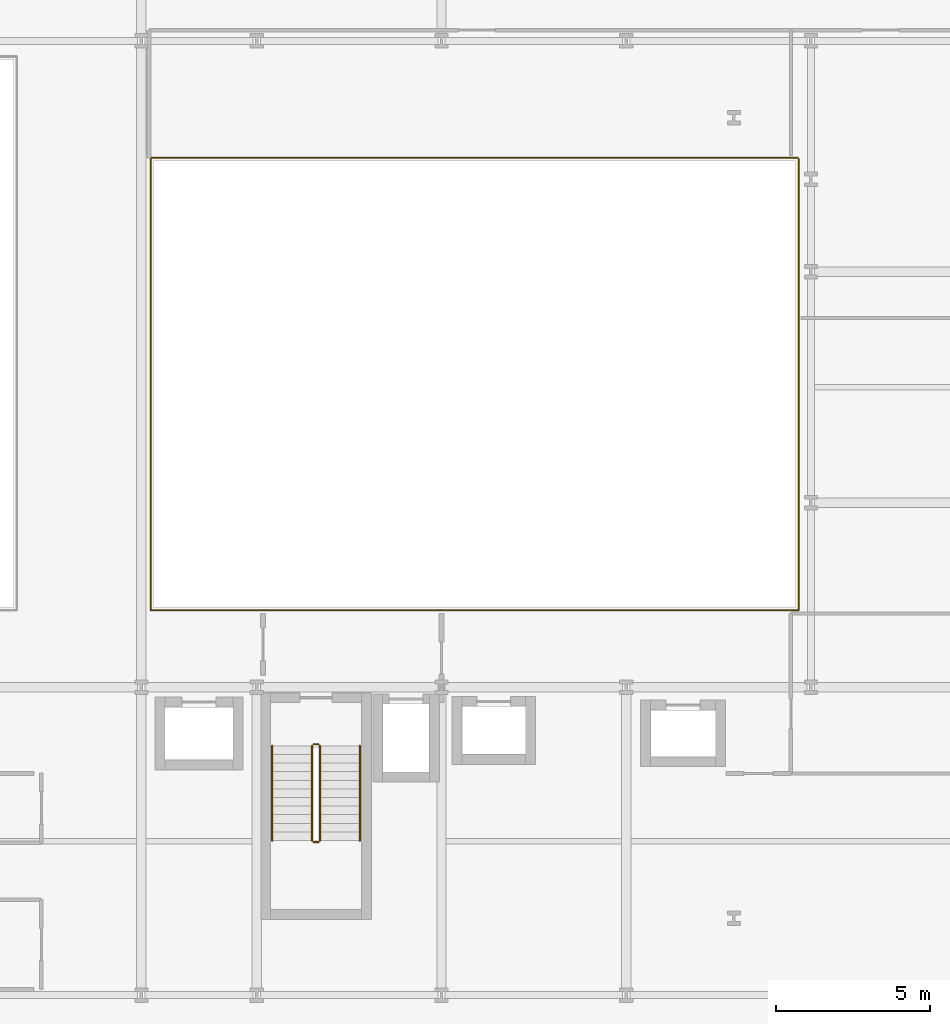
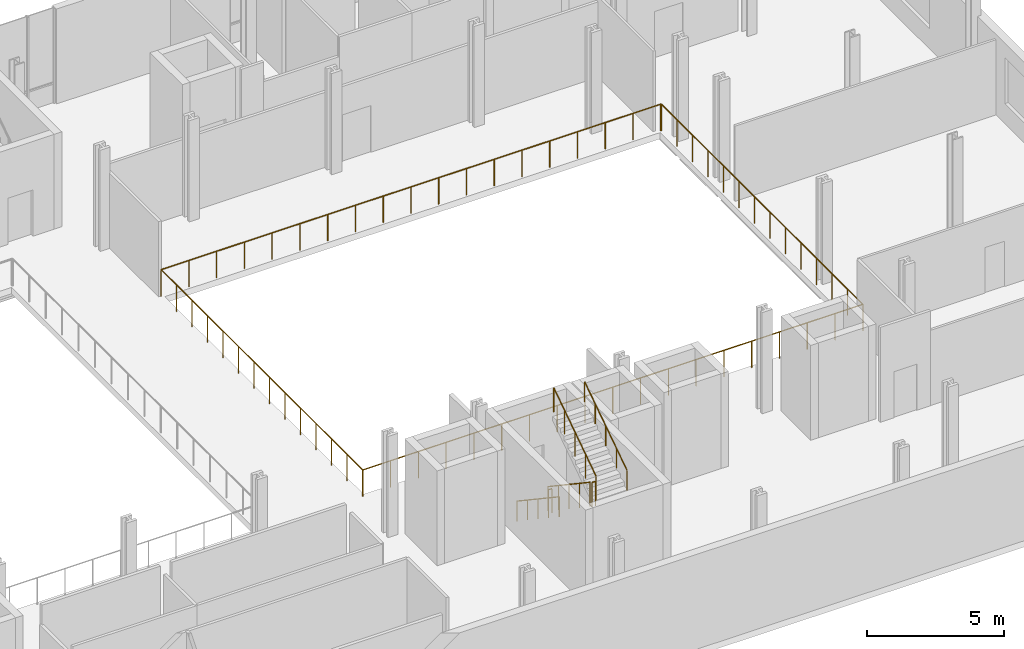
# One storey, part 23 of 25: 8 railings.
"""IFC4 building model written with IfcOpenShell, lengths in metres."""

import ifcopenshell
import ifcopenshell.guid

model = None  # the IFC model being written
_history = None  # IfcOwnerHistory: only IFC2X3 demands one
_inside = {}  # id of a spatial element -> (the spatial element, [elements in it])
_under = {}  # id of a project, library or spatial element -> (it, [spatial elements below it])
_declared = {}  # id of a project -> (the project, [libraries it declares])
_typed = {}  # id of a type object -> (the type object, [elements of that type])
_made_of = {}  # id of a material, layer set ... -> (it, [elements and type objects made of it])


def new_model(schema):
    """Start an empty IFC model of exactly this schema.

    Asked for "IFC4X3", IfcOpenShell would pick the latest addendum, in which some entities
    have other attributes; the version numbers below select the first issue.
    IFC2X3 requires an IfcOwnerHistory on every rooted entity: one is made here for all.
    """
    global model, _history
    if schema == "IFC4X3":
        model = ifcopenshell.file(schema_version=(4, 3, 0, 0))
    else:
        model = ifcopenshell.file(schema=schema)
    _inside.clear()
    _under.clear()
    _declared.clear()
    _typed.clear()
    _made_of.clear()
    _history = None
    if model.schema == "IFC2X3":
        org = make("IfcOrganization", Name="unknown")
        user = make(
            "IfcPersonAndOrganization",
            ThePerson=make("IfcPerson", FamilyName="unknown"),
            TheOrganization=org,
        )
        app = make(
            "IfcApplication",
            ApplicationDeveloper=org,
            Version="unknown",
            ApplicationFullName="unknown",
            ApplicationIdentifier="unknown",
        )
        _history = make(
            "IfcOwnerHistory",
            OwningUser=user,
            OwningApplication=app,
            ChangeAction="ADDED",
            CreationDate=0,
        )
    return model


def make(cls, **values):
    """One entity of the class cls with the attributes given. An attribute that is None is left unset."""
    return model.create_entity(
        cls, **{name: value for name, value in values.items() if value is not None}
    )


def rooted(cls, **values):
    """An entity with a GlobalId (a new one), such as an element, a storey or a relation."""
    return make(cls, GlobalId=ifcopenshell.guid.new(), OwnerHistory=_history, **values)


def si_unit(unit_type, name, prefix=None):
    """IfcSIUnit, for example si_unit("LENGTHUNIT", "METRE", prefix="MILLI")."""
    return make("IfcSIUnit", UnitType=unit_type, Prefix=prefix, Name=name)


def assignment(units):
    """IfcUnitAssignment: the units of a project."""
    return None if units is None else make("IfcUnitAssignment", Units=units)


def point(xyz):
    """IfcCartesianPoint."""
    return None if xyz is None else make("IfcCartesianPoint", Coordinates=xyz)


def direction(xyz):
    """IfcDirection."""
    return None if xyz is None else make("IfcDirection", DirectionRatios=xyz)


def frame(location, z_axis=None, x_axis=None):
    """IfcAxis2Placement3D, a coordinate frame: its origin and axes. An axis left out is left unset."""
    return make(
        "IfcAxis2Placement3D",
        Location=point(location),
        Axis=direction(z_axis),
        RefDirection=direction(x_axis),
    )


def frame_2d(location, x_axis=None):
    """IfcAxis2Placement2D, a coordinate frame in the plane: its origin and x axis."""
    return make(
        "IfcAxis2Placement2D", Location=point(location), RefDirection=direction(x_axis)
    )


def origin():
    """The frame at (0, 0, 0) with its axes left unset."""
    return frame((0.0, 0.0, 0.0))


def origin_2d():
    """The frame at (0, 0) in the plane with its x axis left unset."""
    return frame_2d((0.0, 0.0))


def place(relative_to, where):
    """IfcLocalPlacement: puts the frame where relative to a parent placement (None: the world)."""
    return make(
        "IfcLocalPlacement", PlacementRelTo=relative_to, RelativePlacement=where
    )


def context(
    kind, dimensions, precision=None, world=None, true_north=None, identifier=None
):
    """IfcGeometricRepresentationContext, for example the 3D "Model" context."""
    return make(
        "IfcGeometricRepresentationContext",
        ContextIdentifier=identifier,
        ContextType=kind,
        CoordinateSpaceDimension=dimensions,
        Precision=precision,
        WorldCoordinateSystem=world,
        TrueNorth=true_north,
    )


def subcontext(parent, identifier, kind, view, scale=None):
    """IfcGeometricRepresentationSubContext, for example "Body" below "Model"."""
    return make(
        "IfcGeometricRepresentationSubContext",
        ContextIdentifier=identifier,
        ContextType=kind,
        ParentContext=parent,
        TargetScale=scale,
        TargetView=view,
    )


def project(units=None, contexts=None):
    """IfcProject with its units and contexts."""
    return rooted(
        "IfcProject",
        Name="project",
        RepresentationContexts=contexts,
        UnitsInContext=assignment(units),
    )


def spatial(cls, under=None, at=None, **own):
    """A site, building, storey or space (cls), placed at a placement, below another one or the project."""
    s = rooted(cls, ObjectPlacement=at, **own)
    if under is not None:
        _under.setdefault(under.id(), (under, []))[1].append(s)
    return s


def profile(cls, at=None, kind="AREA", **sizes):
    """A parametric profile (cls). Its sizes go by their IFC names, for example OverallWidth=200.0."""
    return make(cls, ProfileType=kind, Position=at, **sizes)


def circle(**sizes):
    """IfcCircleProfileDef."""
    return profile("IfcCircleProfileDef", **sizes)


def extrude(swept, where, along, depth):
    """IfcExtrudedAreaSolid: the profile swept, set in the frame where, extruded along a direction by depth."""
    return make(
        "IfcExtrudedAreaSolid",
        SweptArea=swept,
        Position=where,
        ExtrudedDirection=direction(along),
        Depth=depth,
    )


def shape(context_of_items, identifier, shape_type, items):
    """IfcShapeRepresentation: the items that make up one representation, for example the "Body"."""
    return make(
        "IfcShapeRepresentation",
        ContextOfItems=context_of_items,
        RepresentationIdentifier=identifier,
        RepresentationType=shape_type,
        Items=items,
    )


def material(Name=None, Category=None):
    """IfcMaterial."""
    return make("IfcMaterial", Name=Name, Category=Category)


def made_of(thing, what):
    """Note that an element or type object is made of a material, layer set ...; save() writes the relation."""
    if what is not None:
        _made_of.setdefault(what.id(), (what, []))[1].append(thing)
    return thing


def type_object(cls, material=None, **own):
    """A type object (cls), such as IfcWallType, which elements share."""
    return made_of(rooted(cls, **own), material)


def element(
    cls,
    number,
    at=None,
    inside=None,
    cuts=None,
    type_object=None,
    material=None,
    context=None,
    identifier="Body",
    shape_type=None,
    held_by="IfcProductDefinitionShape",
    body=None,
    shapes=None,
    **own,
):
    """One element of the class cls, such as IfcWall. Its Tag is "e" and its number.

    at: its placement. inside: the storey or other place that contains it. cuts: it is an
    opening in that element (IfcRelVoidsElement). A single representation is given by context,
    identifier, shape_type and body (its items); several are given by shapes. held_by: the class
    of the entity that holds the representations. save() writes the other relations.
    """
    e = rooted(cls, Tag="e%d" % number, ObjectPlacement=at, **own)
    if body is not None:
        shapes = [shape(context, identifier, shape_type, body)]
    if shapes is not None:
        e.Representation = make(held_by, Representations=shapes)
    if inside is not None:
        _inside.setdefault(inside.id(), (inside, []))[1].append(e)
    if cuts is not None:
        rooted(
            "IfcRelVoidsElement", RelatingBuildingElement=cuts, RelatedOpeningElement=e
        )
    if type_object is not None:
        _typed.setdefault(type_object.id(), (type_object, []))[1].append(e)
    return made_of(e, material)


def aggregate(whole, parts):
    """IfcRelAggregates: a whole, such as a stair, and the parts it consists of."""
    return rooted("IfcRelAggregates", RelatingObject=whole, RelatedObjects=parts)


def save(model, path):
    """Write the relations noted so far, then the file.

    IfcRelAggregates (storeys below a building ...), IfcRelContainedInSpatialStructure (elements
    in a storey), IfcRelDefinesByType, IfcRelAssociatesMaterial and IfcRelDeclares: one each for
    every whole, place, type object, material and project.
    """
    for whole, parts in _under.values():
        aggregate(whole, parts)
    for where, things in _inside.values():
        rooted(
            "IfcRelContainedInSpatialStructure",
            RelatedElements=things,
            RelatingStructure=where,
        )
    for kind, things in _typed.values():
        rooted("IfcRelDefinesByType", RelatedObjects=things, RelatingType=kind)
    for what, things in _made_of.values():
        rooted("IfcRelAssociatesMaterial", RelatedObjects=things, RelatingMaterial=what)
    for by, libraries in _declared.values():
        rooted("IfcRelDeclares", RelatingContext=by, RelatedDefinitions=libraries)
    model.write(path)


model = new_model("IFC4")

# Units and contexts
model_context = context("Model", 3, precision=1e-05, world=origin(), true_north=direction((0.0, 1.0)))
body_context = subcontext(model_context, "Body", "Model", "MODEL_VIEW")
ifc_project = project(units=[si_unit("LENGTHUNIT", "METRE"), si_unit("AREAUNIT", "SQUARE_METRE"), si_unit("VOLUMEUNIT", "CUBIC_METRE"), si_unit("PLANEANGLEUNIT", "RADIAN"), si_unit("MASSUNIT", "GRAM", prefix="KILO")], contexts=[model_context])

# Site, building, storey
site_placement = place(None, origin())
site = spatial("IfcSite", under=ifc_project, at=site_placement, CompositionType="ELEMENT")
building_placement = place(site_placement, origin())
building = spatial("IfcBuilding", under=site, at=building_placement, Name="Brevholm Reach", CompositionType="ELEMENT")
storey_placement = place(building_placement, frame((0.0, 0.0, 9.0)))
storey = spatial("IfcBuildingStorey", under=building, at=storey_placement, Name="L02", CompositionType="ELEMENT", Elevation=9.0)

# Railings
ifc_material_1 = material(Name="Brushed Stainless Steel EN 1.4401 Continuous Handrail", Category="steel")
railing_type_1 = type_object("IfcRailingType", Name="RAL-HND-950", PredefinedType="HANDRAIL", material=ifc_material_1)
railing_1_placement = place(storey_placement, frame((42.5, 8.10009765625, 0.1875)))
element("IfcRailing", 1, at=railing_1_placement, inside=storey, type_object=railing_type_1, Name="L02 ST-2 stair handrail 1", PredefinedType="HANDRAIL", context=body_context, shape_type="SweptSolid", body=[
    extrude(circle(Radius=0.02392578125, at=origin_2d()), frame((0.0, 0.0, 0.8857421875), z_axis=(0.0, -0.830913701846, 0.55640131208), x_axis=(1.0, 0.0, 0.0)), (0.0, 0.0, 1.0), 3.706787109375),
    extrude(circle(Radius=0.02099609375, at=origin_2d()), origin(), (0.0, 0.0, 1.0), 0.86181640625),
    extrude(circle(Radius=0.02099609375, at=origin_2d()), frame((0.0, -0.77001953125, 0.515625)), (0.0, 0.0, 1.0), 0.86181640625),
    extrude(circle(Radius=0.02099609375, at=origin_2d()), frame((0.0, -1.5400390625, 1.03125)), (0.0, 0.0, 1.0), 0.86181640625),
    extrude(circle(Radius=0.02099609375, at=origin_2d()), frame((0.0, -2.31005859375, 1.546875)), (0.0, 0.0, 1.0), 0.86181640625),
    extrude(circle(Radius=0.02099609375, at=origin_2d()), frame((0.0, -3.080078125, 2.0625)), (0.0, 0.0, 1.0), 0.86181640625),
])
railing_2_placement = place(storey_placement, frame((45.35009765625, 5.02001953125, 2.4375)))
element("IfcRailing", 2, at=railing_2_placement, inside=storey, type_object=railing_type_1, Name="L02 ST-2 stair handrail 2", PredefinedType="HANDRAIL", context=body_context, shape_type="SweptSolid", body=[
    extrude(circle(Radius=0.02392578125, at=origin_2d()), frame((0.0, 0.0, 0.8857421875), z_axis=(0.0, 0.830913701846, 0.55640131208), x_axis=(-1.0, 0.0, 0.0)), (0.0, 0.0, 1.0), 3.706787109375),
    extrude(circle(Radius=0.02099609375, at=origin_2d()), origin(), (0.0, 0.0, 1.0), 0.86181640625),
    extrude(circle(Radius=0.02099609375, at=origin_2d()), frame((0.0, 0.77001953125, 0.515625)), (0.0, 0.0, 1.0), 0.86181640625),
    extrude(circle(Radius=0.02099609375, at=origin_2d()), frame((0.0, 1.5400390625, 1.03125)), (0.0, 0.0, 1.0), 0.86181640625),
    extrude(circle(Radius=0.02099609375, at=origin_2d()), frame((0.0, 2.31005859375, 1.546875)), (0.0, 0.0, 1.0), 0.86181640625),
    extrude(circle(Radius=0.02099609375, at=origin_2d()), frame((0.0, 3.080078125, 2.0625)), (0.0, 0.0, 1.0), 0.86181640625),
])
ifc_material_2 = material(Name="Painted Tubular Galvanised Steel S275JR Stair Guard", Category="steel")
railing_type_2 = type_object("IfcRailingType", Name="RAL-STG-1120", PredefinedType="BALUSTRADE", material=ifc_material_2)
railing_3_placement = place(storey_placement, frame((43.800048828125, 8.10009765625, 0.1875)))
element("IfcRailing", 3, at=railing_3_placement, inside=storey, type_object=railing_type_2, Name="L02 ST-2 stair guard 1", PredefinedType="BALUSTRADE", context=body_context, shape_type="SweptSolid", body=[
    extrude(circle(Radius=0.02392578125, at=origin_2d()), frame((0.0, 0.0, 1.076171875), z_axis=(0.0, -0.830913701846, 0.55640131208), x_axis=(1.0, 0.0, 0.0)), (0.0, 0.0, 1.0), 3.706787109375),
    extrude(circle(Radius=0.02099609375, at=origin_2d()), origin(), (0.0, 0.0, 1.0), 1.052001953125),
    extrude(circle(Radius=0.02099609375, at=origin_2d()), frame((0.0, -0.77001953125, 0.515625)), (0.0, 0.0, 1.0), 1.052001953125),
    extrude(circle(Radius=0.02099609375, at=origin_2d()), frame((0.0, -1.5400390625, 1.03125)), (0.0, 0.0, 1.0), 1.052001953125),
    extrude(circle(Radius=0.02099609375, at=origin_2d()), frame((0.0, -2.31005859375, 1.546875)), (0.0, 0.0, 1.0), 1.052001953125),
    extrude(circle(Radius=0.02099609375, at=origin_2d()), frame((0.0, -3.080078125, 2.0625)), (0.0, 0.0, 1.0), 1.052001953125),
])
railing_4_placement = place(storey_placement, frame((43.85009765625, 4.969970703125, 2.25)))
element("IfcRailing", 4, at=railing_4_placement, inside=storey, type_object=railing_type_2, Name="L02 ST-2 stair guard 2", PredefinedType="BALUSTRADE", context=body_context, shape_type="SweptSolid", body=[
    extrude(circle(Radius=0.02392578125, at=origin_2d()), frame((0.0, 0.0, 1.076171875), z_axis=(1.0, 0.0, 0.0), x_axis=(0.0, 1.0, 0.0)), (0.0, 0.0, 1.0), 0.14990234375),
    extrude(circle(Radius=0.02099609375, at=origin_2d()), origin(), (0.0, 0.0, 1.0), 1.052001953125),
    extrude(circle(Radius=0.02099609375, at=origin_2d()), frame((0.14990234375, 0.0, 0.0)), (0.0, 0.0, 1.0), 1.052001953125),
])
railing_5_placement = place(storey_placement, frame((44.050048828125, 5.02001953125, 2.4375)))
element("IfcRailing", 5, at=railing_5_placement, inside=storey, type_object=railing_type_2, Name="L02 ST-2 stair guard 3", PredefinedType="BALUSTRADE", context=body_context, shape_type="SweptSolid", body=[
    extrude(circle(Radius=0.02392578125, at=origin_2d()), frame((0.0, 0.0, 1.076171875), z_axis=(0.0, 0.830913701846, 0.55640131208), x_axis=(-1.0, 0.0, 0.0)), (0.0, 0.0, 1.0), 3.706787109375),
    extrude(circle(Radius=0.02099609375, at=origin_2d()), origin(), (0.0, 0.0, 1.0), 1.052001953125),
    extrude(circle(Radius=0.02099609375, at=origin_2d()), frame((0.0, 0.77001953125, 0.515625)), (0.0, 0.0, 1.0), 1.052001953125),
    extrude(circle(Radius=0.02099609375, at=origin_2d()), frame((0.0, 1.5400390625, 1.03125)), (0.0, 0.0, 1.0), 1.052001953125),
    extrude(circle(Radius=0.02099609375, at=origin_2d()), frame((0.0, 2.31005859375, 1.546875)), (0.0, 0.0, 1.0), 1.052001953125),
    extrude(circle(Radius=0.02099609375, at=origin_2d()), frame((0.0, 3.080078125, 2.0625)), (0.0, 0.0, 1.0), 1.052001953125),
])
railing_6_placement = place(storey_placement, frame((43.85009765625, 8.14990234375, 0.0)))
element("IfcRailing", 6, at=railing_6_placement, inside=storey, type_object=railing_type_2, Name="L02 ST-2 stair guard 4", PredefinedType="BALUSTRADE", context=body_context, shape_type="SweptSolid", body=[
    extrude(circle(Radius=0.02392578125, at=origin_2d()), frame((0.0, 0.0, 1.076171875), z_axis=(1.0, 0.0, 0.0), x_axis=(0.0, 1.0, 0.0)), (0.0, 0.0, 1.0), 0.14990234375),
    extrude(circle(Radius=0.02099609375, at=origin_2d()), origin(), (0.0, 0.0, 1.0), 1.052001953125),
    extrude(circle(Radius=0.02099609375, at=origin_2d()), frame((0.14990234375, 0.0, 0.0)), (0.0, 0.0, 1.0), 1.052001953125),
])
ifc_material_3 = material(Name="Brushed Stainless Steel EN 1.4401 and Laminated Glass", Category="steel")
railing_type_3 = type_object("IfcRailingType", Name="RAL-TERR-1200", PredefinedType="BALUSTRADE", material=ifc_material_3)
railing_7_placement = place(storey_placement, frame((38.550048828125, 12.5, 0.0)))
element("IfcRailing", 7, at=railing_7_placement, inside=storey, type_object=railing_type_3, Name="L02 Guard Balustrade RAL-L02-VOID-AH-SW", PredefinedType="BALUSTRADE", context=body_context, shape_type="SweptSolid", body=[
    extrude(circle(Radius=0.02392578125, at=origin_2d()), frame((0.0, 0.0, 1.17578125), z_axis=(1.0, 0.0, 0.0), x_axis=(0.0, 1.0, 0.0)), (0.0, 0.0, 1.0), 21.050048828125),
    extrude(circle(Radius=0.02392578125, at=origin_2d()), frame((21.050048828125, 0.0, 1.17578125), z_axis=(0.0, 1.0, 0.0), x_axis=(-1.0, 0.0, 0.0)), (0.0, 0.0, 1.0), 14.679931640625),
    extrude(circle(Radius=0.02099609375, at=origin_2d()), origin(), (0.0, 0.0, 1.0), 1.15185546875),
    extrude(circle(Radius=0.02099609375, at=origin_2d()), frame((1.16943359375, 0.0, 0.0)), (0.0, 0.0, 1.0), 1.15185546875),
    extrude(circle(Radius=0.02099609375, at=origin_2d()), frame((2.3388671875, 0.0, 0.0)), (0.0, 0.0, 1.0), 1.15185546875),
    extrude(circle(Radius=0.02099609375, at=origin_2d()), frame((3.50830078125, 0.0, 0.0)), (0.0, 0.0, 1.0), 1.15185546875),
    extrude(circle(Radius=0.02099609375, at=origin_2d()), frame((4.677734375, 0.0, 0.0)), (0.0, 0.0, 1.0), 1.15185546875),
    extrude(circle(Radius=0.02099609375, at=origin_2d()), frame((5.84716796875, 0.0, 0.0)), (0.0, 0.0, 1.0), 1.15185546875),
    extrude(circle(Radius=0.02099609375, at=origin_2d()), frame((7.0166015625, 0.0, 0.0)), (0.0, 0.0, 1.0), 1.15185546875),
    extrude(circle(Radius=0.02099609375, at=origin_2d()), frame((8.18603515625, 0.0, 0.0)), (0.0, 0.0, 1.0), 1.15185546875),
    extrude(circle(Radius=0.02099609375, at=origin_2d()), frame((9.35546875, 0.0, 0.0)), (0.0, 0.0, 1.0), 1.15185546875),
    extrude(circle(Radius=0.02099609375, at=origin_2d()), frame((10.52490234375, 0.0, 0.0)), (0.0, 0.0, 1.0), 1.15185546875),
    extrude(circle(Radius=0.02099609375, at=origin_2d()), frame((11.694580078125, 0.0, 0.0)), (0.0, 0.0, 1.0), 1.15185546875),
    extrude(circle(Radius=0.02099609375, at=origin_2d()), frame((12.864013671875, 0.0, 0.0)), (0.0, 0.0, 1.0), 1.15185546875),
    extrude(circle(Radius=0.02099609375, at=origin_2d()), frame((14.033447265625, 0.0, 0.0)), (0.0, 0.0, 1.0), 1.15185546875),
    extrude(circle(Radius=0.02099609375, at=origin_2d()), frame((15.202880859375, 0.0, 0.0)), (0.0, 0.0, 1.0), 1.15185546875),
    extrude(circle(Radius=0.02099609375, at=origin_2d()), frame((16.372314453125, 0.0, 0.0)), (0.0, 0.0, 1.0), 1.15185546875),
    extrude(circle(Radius=0.02099609375, at=origin_2d()), frame((17.541748046875, 0.0, 0.0)), (0.0, 0.0, 1.0), 1.15185546875),
    extrude(circle(Radius=0.02099609375, at=origin_2d()), frame((18.711181640625, 0.0, 0.0)), (0.0, 0.0, 1.0), 1.15185546875),
    extrude(circle(Radius=0.02099609375, at=origin_2d()), frame((19.880615234375, 0.0, 0.0)), (0.0, 0.0, 1.0), 1.15185546875),
    extrude(circle(Radius=0.02099609375, at=origin_2d()), frame((21.050048828125, 0.0, 0.0)), (0.0, 0.0, 1.0), 1.15185546875),
    extrude(circle(Radius=0.02099609375, at=origin_2d()), frame((21.050048828125, 1.129150390625, 0.0)), (0.0, 0.0, 1.0), 1.15185546875),
    extrude(circle(Radius=0.02099609375, at=origin_2d()), frame((21.050048828125, 2.258544921875, 0.0)), (0.0, 0.0, 1.0), 1.15185546875),
    extrude(circle(Radius=0.02099609375, at=origin_2d()), frame((21.050048828125, 3.3876953125, 0.0)), (0.0, 0.0, 1.0), 1.15185546875),
    extrude(circle(Radius=0.02099609375, at=origin_2d()), frame((21.050048828125, 4.516845703125, 0.0)), (0.0, 0.0, 1.0), 1.15185546875),
    extrude(circle(Radius=0.02099609375, at=origin_2d()), frame((21.050048828125, 5.646240234375, 0.0)), (0.0, 0.0, 1.0), 1.15185546875),
    extrude(circle(Radius=0.02099609375, at=origin_2d()), frame((21.050048828125, 6.775390625, 0.0)), (0.0, 0.0, 1.0), 1.15185546875),
    extrude(circle(Radius=0.02099609375, at=origin_2d()), frame((21.050048828125, 7.904541015625, 0.0)), (0.0, 0.0, 1.0), 1.15185546875),
    extrude(circle(Radius=0.02099609375, at=origin_2d()), frame((21.050048828125, 9.03369140625, 0.0)), (0.0, 0.0, 1.0), 1.15185546875),
    extrude(circle(Radius=0.02099609375, at=origin_2d()), frame((21.050048828125, 10.1630859375, 0.0)), (0.0, 0.0, 1.0), 1.15185546875),
    extrude(circle(Radius=0.02099609375, at=origin_2d()), frame((21.050048828125, 11.292236328125, 0.0)), (0.0, 0.0, 1.0), 1.15185546875),
    extrude(circle(Radius=0.02099609375, at=origin_2d()), frame((21.050048828125, 12.42138671875, 0.0)), (0.0, 0.0, 1.0), 1.15185546875),
    extrude(circle(Radius=0.02099609375, at=origin_2d()), frame((21.050048828125, 13.55078125, 0.0)), (0.0, 0.0, 1.0), 1.15185546875),
    extrude(circle(Radius=0.02099609375, at=origin_2d()), frame((21.050048828125, 14.679931640625, 0.0)), (0.0, 0.0, 1.0), 1.15185546875),
])
railing_8_placement = place(storey_placement, frame((59.580078125, 27.199951171875, 0.0)))
element("IfcRailing", 8, at=railing_8_placement, inside=storey, type_object=railing_type_3, Name="L02 Guard Balustrade RAL-L02-VOID-AH-NE", PredefinedType="BALUSTRADE", context=body_context, shape_type="SweptSolid", body=[
    extrude(circle(Radius=0.02392578125, at=origin_2d()), frame((0.0, 0.0, 1.17578125), z_axis=(-1.0, 0.0, 0.0), x_axis=(0.0, -1.0, 0.0)), (0.0, 0.0, 1.0), 21.030029296875),
    extrude(circle(Radius=0.02392578125, at=origin_2d()), frame((-21.030029296875, 0.0, 1.17578125), z_axis=(0.0, -1.0, 0.0), x_axis=(1.0, 0.0, 0.0)), (0.0, 0.0, 1.0), 14.679931640625),
    extrude(circle(Radius=0.02099609375, at=origin_2d()), origin(), (0.0, 0.0, 1.0), 1.15185546875),
    extrude(circle(Radius=0.02099609375, at=origin_2d()), frame((-1.16845703125, 0.0, 0.0)), (0.0, 0.0, 1.0), 1.15185546875),
    extrude(circle(Radius=0.02099609375, at=origin_2d()), frame((-2.336669921875, 0.0, 0.0)), (0.0, 0.0, 1.0), 1.15185546875),
    extrude(circle(Radius=0.02099609375, at=origin_2d()), frame((-3.5048828125, 0.0, 0.0)), (0.0, 0.0, 1.0), 1.15185546875),
    extrude(circle(Radius=0.02099609375, at=origin_2d()), frame((-4.67333984375, 0.0, 0.0)), (0.0, 0.0, 1.0), 1.15185546875),
    extrude(circle(Radius=0.02099609375, at=origin_2d()), frame((-5.841796875, 0.0, 0.0)), (0.0, 0.0, 1.0), 1.15185546875),
    extrude(circle(Radius=0.02099609375, at=origin_2d()), frame((-7.010009765625, 0.0, 0.0)), (0.0, 0.0, 1.0), 1.15185546875),
    extrude(circle(Radius=0.02099609375, at=origin_2d()), frame((-8.17822265625, 0.0, 0.0)), (0.0, 0.0, 1.0), 1.15185546875),
    extrude(circle(Radius=0.02099609375, at=origin_2d()), frame((-9.3466796875, 0.0, 0.0)), (0.0, 0.0, 1.0), 1.15185546875),
    extrude(circle(Radius=0.02099609375, at=origin_2d()), frame((-10.51513671875, 0.0, 0.0)), (0.0, 0.0, 1.0), 1.15185546875),
    extrude(circle(Radius=0.02099609375, at=origin_2d()), frame((-11.683349609375, 0.0, 0.0)), (0.0, 0.0, 1.0), 1.15185546875),
    extrude(circle(Radius=0.02099609375, at=origin_2d()), frame((-12.851806640625, 0.0, 0.0)), (0.0, 0.0, 1.0), 1.15185546875),
    extrude(circle(Radius=0.02099609375, at=origin_2d()), frame((-14.02001953125, 0.0, 0.0)), (0.0, 0.0, 1.0), 1.15185546875),
    extrude(circle(Radius=0.02099609375, at=origin_2d()), frame((-15.1884765625, 0.0, 0.0)), (0.0, 0.0, 1.0), 1.15185546875),
    extrude(circle(Radius=0.02099609375, at=origin_2d()), frame((-16.356689453125, 0.0, 0.0)), (0.0, 0.0, 1.0), 1.15185546875),
    extrude(circle(Radius=0.02099609375, at=origin_2d()), frame((-17.52490234375, 0.0, 0.0)), (0.0, 0.0, 1.0), 1.15185546875),
    extrude(circle(Radius=0.02099609375, at=origin_2d()), frame((-18.693359375, 0.0, 0.0)), (0.0, 0.0, 1.0), 1.15185546875),
    extrude(circle(Radius=0.02099609375, at=origin_2d()), frame((-19.86181640625, 0.0, 0.0)), (0.0, 0.0, 1.0), 1.15185546875),
    extrude(circle(Radius=0.02099609375, at=origin_2d()), frame((-21.030029296875, 0.0, 0.0)), (0.0, 0.0, 1.0), 1.15185546875),
    extrude(circle(Radius=0.02099609375, at=origin_2d()), frame((-21.030029296875, -1.129150390625, 0.0)), (0.0, 0.0, 1.0), 1.15185546875),
    extrude(circle(Radius=0.02099609375, at=origin_2d()), frame((-21.030029296875, -2.258544921875, 0.0)), (0.0, 0.0, 1.0), 1.15185546875),
    extrude(circle(Radius=0.02099609375, at=origin_2d()), frame((-21.030029296875, -3.3876953125, 0.0)), (0.0, 0.0, 1.0), 1.15185546875),
    extrude(circle(Radius=0.02099609375, at=origin_2d()), frame((-21.030029296875, -4.516845703125, 0.0)), (0.0, 0.0, 1.0), 1.15185546875),
    extrude(circle(Radius=0.02099609375, at=origin_2d()), frame((-21.030029296875, -5.646240234375, 0.0)), (0.0, 0.0, 1.0), 1.15185546875),
    extrude(circle(Radius=0.02099609375, at=origin_2d()), frame((-21.030029296875, -6.775390625, 0.0)), (0.0, 0.0, 1.0), 1.15185546875),
    extrude(circle(Radius=0.02099609375, at=origin_2d()), frame((-21.030029296875, -7.904541015625, 0.0)), (0.0, 0.0, 1.0), 1.15185546875),
    extrude(circle(Radius=0.02099609375, at=origin_2d()), frame((-21.030029296875, -9.03369140625, 0.0)), (0.0, 0.0, 1.0), 1.15185546875),
    extrude(circle(Radius=0.02099609375, at=origin_2d()), frame((-21.030029296875, -10.1630859375, 0.0)), (0.0, 0.0, 1.0), 1.15185546875),
    extrude(circle(Radius=0.02099609375, at=origin_2d()), frame((-21.030029296875, -11.292236328125, 0.0)), (0.0, 0.0, 1.0), 1.15185546875),
    extrude(circle(Radius=0.02099609375, at=origin_2d()), frame((-21.030029296875, -12.42138671875, 0.0)), (0.0, 0.0, 1.0), 1.15185546875),
    extrude(circle(Radius=0.02099609375, at=origin_2d()), frame((-21.030029296875, -13.55078125, 0.0)), (0.0, 0.0, 1.0), 1.15185546875),
    extrude(circle(Radius=0.02099609375, at=origin_2d()), frame((-21.030029296875, -14.679931640625, 0.0)), (0.0, 0.0, 1.0), 1.15185546875),
])

save(model, "model.ifc")
